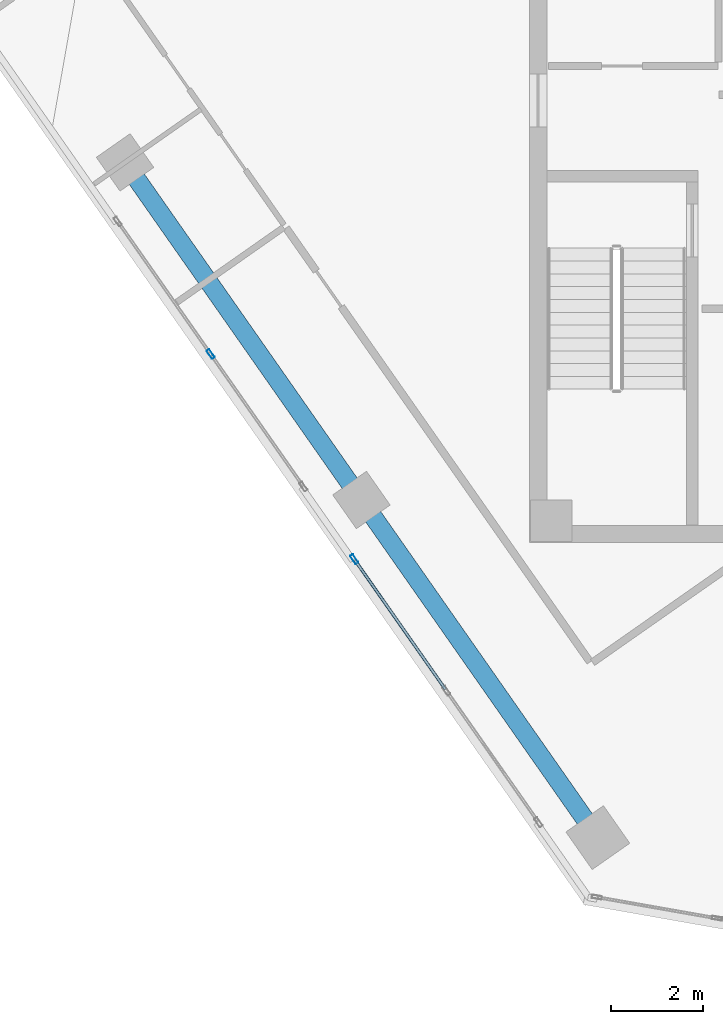
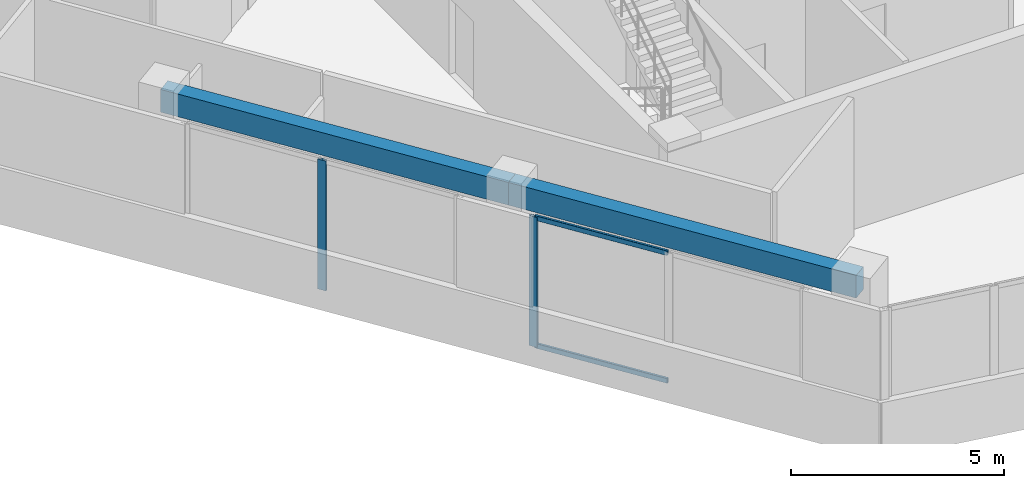
# One storey, part 3 of 17: 4 members, 2 beams, 2 elements without a shape of their own.
"""IFC4 building model written with IfcOpenShell, lengths in metres."""

from ifc_helpers import new_model, si_unit, direction, frame, origin, origin_2d, place, context, subcontext, project, spatial, rectangle, hollow_rectangle, extrude, source, transform, mapped, material, material_profile, profile_set, type_object, element, aggregate, save


model = new_model("IFC4")

# Units and contexts
model_context = context("Model", 3, precision=1e-05, world=origin(), true_north=direction((0.0, 1.0)))
body_context = subcontext(model_context, "Body", "Model", "MODEL_VIEW")
ifc_project = project(units=[si_unit("LENGTHUNIT", "METRE"), si_unit("AREAUNIT", "SQUARE_METRE"), si_unit("VOLUMEUNIT", "CUBIC_METRE"), si_unit("PLANEANGLEUNIT", "RADIAN"), si_unit("MASSUNIT", "GRAM", prefix="KILO")], contexts=[model_context])

# Site, building, storey
site_placement = place(None, origin())
site = spatial("IfcSite", under=ifc_project, at=site_placement, CompositionType="ELEMENT")
building_placement = place(site_placement, origin())
building = spatial("IfcBuilding", under=site, at=building_placement, Name="Torre Montelarca", CompositionType="ELEMENT")
storey_placement = place(building_placement, frame((0.0, 0.0, 298.800048828125)))
storey = spatial("IfcBuildingStorey", under=building, at=storey_placement, Name="L67", CompositionType="ELEMENT", Elevation=298.800048828125)

# Beams
ifc_material_1 = material(Name="Concrete C40/50", Category="concrete")
ifc_material_profile_1 = material_profile(ifc_material_1, rectangle(XDim=0.39990234375, YDim=0.64990234375, at=origin_2d()), Name="RCB400X650", Category="concrete")
ifc_profile_set_1 = profile_set([ifc_material_profile_1], Name="Concrete C40/50")
beam_type = type_object("IfcBeamType", Name="BM-SP-RC650-EXT", PredefinedType="SPANDREL", material=ifc_profile_set_1)
shared_shape_1 = source(origin(), body_context, "Body", "SweptSolid", [
    extrude(rectangle(XDim=0.39990234375, YDim=0.64990234375, at=origin_2d()), origin(), (0.0, 0.0, 1.0), 9.0),
])
for number, where, z_axis, x_axis, name in (
    (1, (0.240966796875, 32.373779296875, 3.635009765625), (0.573573395961, -0.819154173185, 0.0), (0.819154173185, 0.573573395961, 0.0), "L67 Grid Girder X 9.0-18.0 at Y=14.8"),
    (2, (5.403076171875, 25.00146484375, 3.635009765625), (0.573573395961, -0.819154173185, 0.0), (0.819154173185, 0.573573395961, 0.0), "L67 Grid Girder X 18.0-27.0 at Y=14.8"),
):
    element("IfcBeam", number, at=place(storey_placement, frame(where, z_axis=z_axis, x_axis=x_axis)), inside=storey, type_object=beam_type, Name=name, PredefinedType="SPANDREL", context=body_context, shape_type="MappedRepresentation", body=[
        mapped(shared_shape_1, transform((0.0, 0.0, 0.0), scale=1.0)),
    ])

# Curtain wall, member
ifc_material_2 = material(Name="Insulated low-E laminated glass", Category="glass")
curtain_wall_type = type_object("IfcCurtainWallType", Name="CW-SYS-Z4", PredefinedType="USERDEFINED", material=ifc_material_2)
curtain_wall_1_placement = place(storey_placement, origin())
curtain_wall_1 = element("IfcCurtainWall", 3, at=curtain_wall_1_placement, inside=storey, type_object=curtain_wall_type, Name="L67 Curtain Wall Run CW-T3-L67-E01-B1", ObjectType="UNITISED GLAZING", PredefinedType="USERDEFINED")
ifc_material_3 = material(Name="Anodised aluminium AA 6063-T6", Category="aluminium")
ifc_material_profile_2 = material_profile(ifc_material_3, hollow_rectangle(XDim=0.074951171875, YDim=0.219970703125, WallThickness=0.0048828125, InnerFilletRadius=0.0048828125, OuterFilletRadius=0.010009765625, at=origin_2d()), Name="ALU75X220X5", Category="aluminium")
ifc_profile_set_2 = profile_set([ifc_material_profile_2], Name="Anodised aluminium AA 6063-T6")
member_type_1 = type_object("IfcMemberType", Name="CWM-ALU220", PredefinedType="MULLION", material=ifc_profile_set_2)
shared_shape_2 = source(origin(), body_context, "Body", "SweptSolid", [
    extrude(hollow_rectangle(XDim=0.074951171875, YDim=0.219970703125, WallThickness=0.0048828125, InnerFilletRadius=0.0048828125, OuterFilletRadius=0.010009765625, at=origin_2d()), origin(), (0.0, 0.0, 1.0), 3.719970703125),
])
member_1_placement = place(storey_placement, frame((2.109375, 28.188720703125, 0.0), z_axis=(0.0, 0.0, 1.0), x_axis=(0.819156903891, 0.573569496058, 0.0)))
member_1 = element("IfcMember", 4, at=member_1_placement, type_object=member_type_1, Name="CW mullion 2", PredefinedType="MULLION", context=body_context, shape_type="MappedRepresentation", body=[
    mapped(shared_shape_2, transform((0.0, 0.0, 0.0), scale=1.0)),
])
aggregate(curtain_wall_1, [member_1])

# Curtain wall, members
curtain_wall_2_placement = place(storey_placement, origin())
curtain_wall_2 = element("IfcCurtainWall", 5, at=curtain_wall_2_placement, inside=storey, type_object=curtain_wall_type, Name="L67 Curtain Wall Run CW-T3-L67-E01-B2", ObjectType="UNITISED GLAZING", PredefinedType="USERDEFINED")
member_2_placement = place(storey_placement, frame((5.245361328125, 23.7099609375, 0.0), z_axis=(0.0, 0.0, 1.0), x_axis=(0.819156374316, 0.573570252382, 0.0)))
member_2 = element("IfcMember", 6, at=member_2_placement, type_object=member_type_1, Name="CW mullion 1", PredefinedType="MULLION", context=body_context, shape_type="MappedRepresentation", body=[
    mapped(shared_shape_2, transform((0.0, 0.0, 0.0), scale=1.0)),
])
ifc_material_profile_3 = material_profile(ifc_material_3, hollow_rectangle(XDim=0.06494140625, YDim=0.139892578125, WallThickness=0.00390625, InnerFilletRadius=0.00390625, OuterFilletRadius=0.008056640625, at=origin_2d()), Name="ALU65X140X4", Category="aluminium")
ifc_profile_set_3 = profile_set([ifc_material_profile_3], Name="Anodised aluminium AA 6063-T6")
member_type_2 = type_object("IfcMemberType", Name="CWT-ALU140", PredefinedType="USERDEFINED", material=ifc_profile_set_3)
shared_shape_3 = source(origin(), body_context, "Body", "SweptSolid", [
    extrude(hollow_rectangle(XDim=0.06494140625, YDim=0.139892578125, WallThickness=0.00390625, InnerFilletRadius=0.00390625, OuterFilletRadius=0.008056640625, at=origin_2d()), origin(), (0.0, 0.0, 1.0), 3.432373046875),
])
member_3_placement = place(storey_placement, frame((5.266845703125, 23.67919921875, 0.032470703125), z_axis=(0.573562585209, -0.819161742789, 0.0), x_axis=(0.819161742789, 0.573562585209, 0.0)))
member_3 = element("IfcMember", 7, at=member_3_placement, type_object=member_type_2, Name="CW transom 1.1", ObjectType="TRANSOM", PredefinedType="USERDEFINED", context=body_context, shape_type="MappedRepresentation", body=[
    mapped(shared_shape_3, transform((0.0, 0.0, 0.0), scale=1.0)),
])
member_4_placement = place(storey_placement, frame((5.266845703125, 23.67919921875, 3.6875), z_axis=(0.573562585209, -0.819161742789, 0.0), x_axis=(0.819161742789, 0.573562585209, 0.0)))
member_4 = element("IfcMember", 8, at=member_4_placement, type_object=member_type_2, Name="CW transom 1.2", ObjectType="TRANSOM", PredefinedType="USERDEFINED", context=body_context, shape_type="MappedRepresentation", body=[
    mapped(shared_shape_3, transform((0.0, 0.0, 0.0), scale=1.0)),
])
aggregate(curtain_wall_2, [member_2, member_3, member_4])

save(model, "model.ifc")
